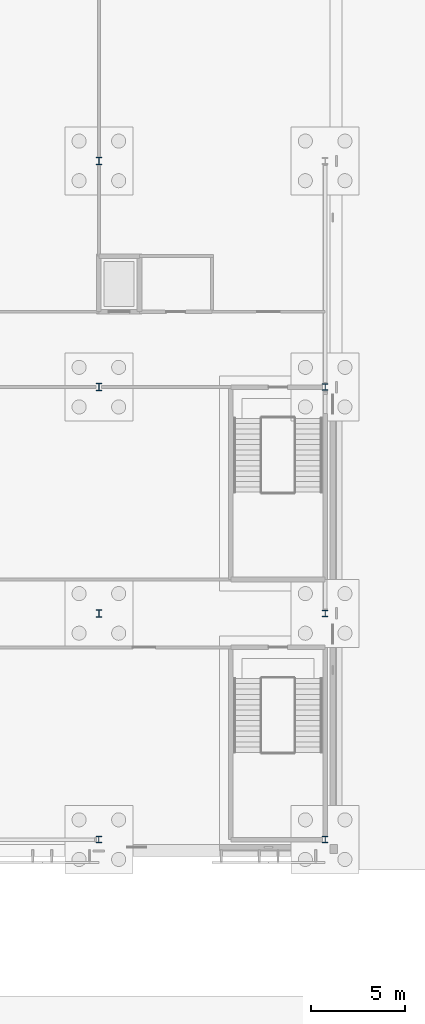
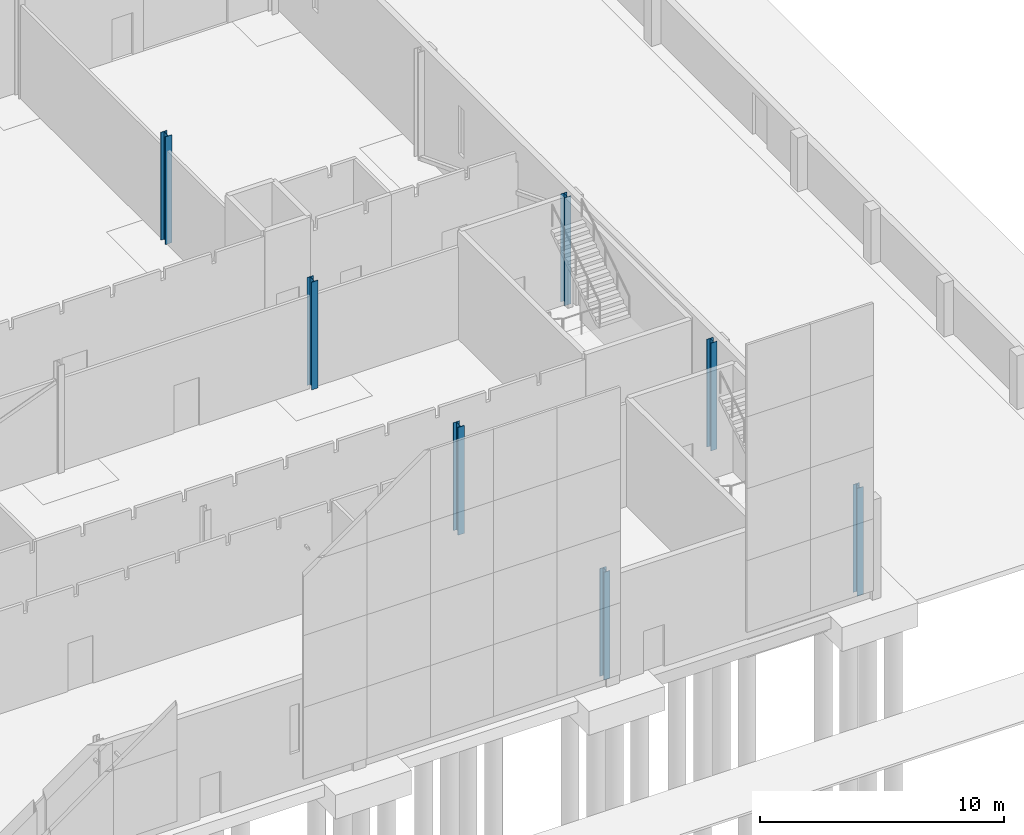
# One storey, part 49 of 132: 7 columns.
"""IFC4 building model written with IfcOpenShell, lengths in metres."""

from ifc_helpers import new_model, si_unit, direction, frame, origin, origin_2d, place, context, subcontext, project, spatial, i_section, extrude, material, material_profile, profile_set, type_object, element, save


model = new_model("IFC4")

# Units and contexts
model_context = context("Model", 3, precision=1e-05, world=origin(), true_north=direction((0.0, 1.0)))
body_context = subcontext(model_context, "Body", "Model", "MODEL_VIEW")
ifc_project = project(units=[si_unit("LENGTHUNIT", "METRE"), si_unit("AREAUNIT", "SQUARE_METRE"), si_unit("VOLUMEUNIT", "CUBIC_METRE"), si_unit("PLANEANGLEUNIT", "RADIAN"), si_unit("MASSUNIT", "GRAM", prefix="KILO")], contexts=[model_context])

# Site, building, storey
site_placement = place(None, origin())
site = spatial("IfcSite", under=ifc_project, at=site_placement, CompositionType="ELEMENT")
building_placement = place(site_placement, origin())
building = spatial("IfcBuilding", under=site, at=building_placement, Name="Ravi Spectrum Wholesale Market", CompositionType="ELEMENT")
storey_placement = place(building_placement, origin())
storey = spatial("IfcBuildingStorey", under=building, at=storey_placement, Name="L00", CompositionType="ELEMENT", Elevation=0.0)

# Columns
ifc_material_1 = material(Name="Steel S355", Category="steel")
ifc_material_profile_1 = material_profile(ifc_material_1, i_section(OverallWidth=0.300048828125, OverallDepth=0.340087890625, WebThickness=0.011962890625, FlangeThickness=0.021484375, at=origin_2d()))
ifc_profile_set_1 = profile_set([ifc_material_profile_1], Name="Steel S355")
column_type_1 = type_object("IfcColumnType", Name="HEB 340 column", PredefinedType="COLUMN", material=ifc_profile_set_1)
for number, where, z_axis, x_axis, name in (
    (1, (270.0, 18.0, 0.0), (0.0, 0.0, 1.0), (1.0, 0.0, 0.0), "CS-COL-L00-031"),
    (2, (282.0, 18.0, 0.0), (0.0, 0.0, 1.0), (1.0, 0.0, 0.0), "CS-COL-L00-036"),
    (3, (282.0, 30.0, 0.0), (0.0, 0.0, 1.0), (1.0, 0.0, 0.0), "CS-COL-L00-037"),
    (4, (282.0, 42.0, 0.0), (0.0, 0.0, 1.0), (1.0, 0.0, 0.0), "CS-COL-L00-038"),
):
    element("IfcColumn", number, at=place(storey_placement, frame(where, z_axis=z_axis, x_axis=x_axis)), inside=storey, type_object=column_type_1, Name=name, PredefinedType="COLUMN", context=body_context, shape_type="SweptSolid", body=[
        extrude(i_section(OverallWidth=0.300048828125, OverallDepth=0.340087890625, WebThickness=0.011962890625, FlangeThickness=0.021484375, at=origin_2d()), origin(), (0.0, 0.0, 1.0), 5.39990234375),
    ])
ifc_material_2 = material(Name="Steel S355", Category="steel")
ifc_material_profile_2 = material_profile(ifc_material_2, i_section(OverallWidth=0.300048828125, OverallDepth=0.39990234375, WebThickness=0.013427734375, FlangeThickness=0.02392578125, at=origin_2d()))
ifc_profile_set_2 = profile_set([ifc_material_profile_2], Name="Steel S355")
column_type_2 = type_object("IfcColumnType", Name="HEB 400 column", PredefinedType="COLUMN", material=ifc_profile_set_2)
for number, where, z_axis, x_axis, name in (
    (5, (270.0, 30.0, 0.0), (0.0, 0.0, 1.0), (1.0, 0.0, 0.0), "CS-COL-L00-032"),
    (6, (270.0, 42.0, 0.0), (0.0, 0.0, 1.0), (1.0, 0.0, 0.0), "CS-COL-L00-033"),
    (7, (270.0, 54.0, 0.0), (0.0, 0.0, 1.0), (1.0, 0.0, 0.0), "CS-COL-L00-034"),
):
    element("IfcColumn", number, at=place(storey_placement, frame(where, z_axis=z_axis, x_axis=x_axis)), inside=storey, type_object=column_type_2, Name=name, PredefinedType="COLUMN", context=body_context, shape_type="SweptSolid", body=[
        extrude(i_section(OverallWidth=0.300048828125, OverallDepth=0.39990234375, WebThickness=0.013427734375, FlangeThickness=0.02392578125, at=origin_2d()), origin(), (0.0, 0.0, 1.0), 5.39990234375),
    ])

save(model, "model.ifc")
